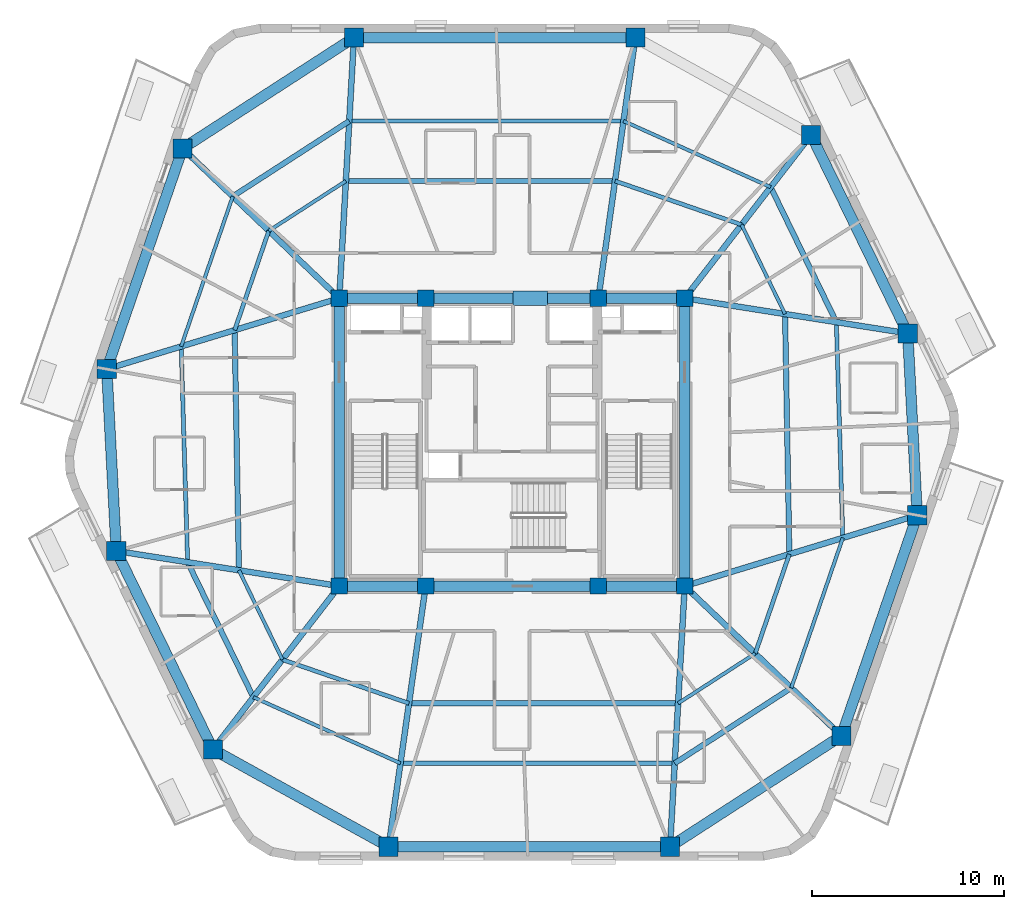
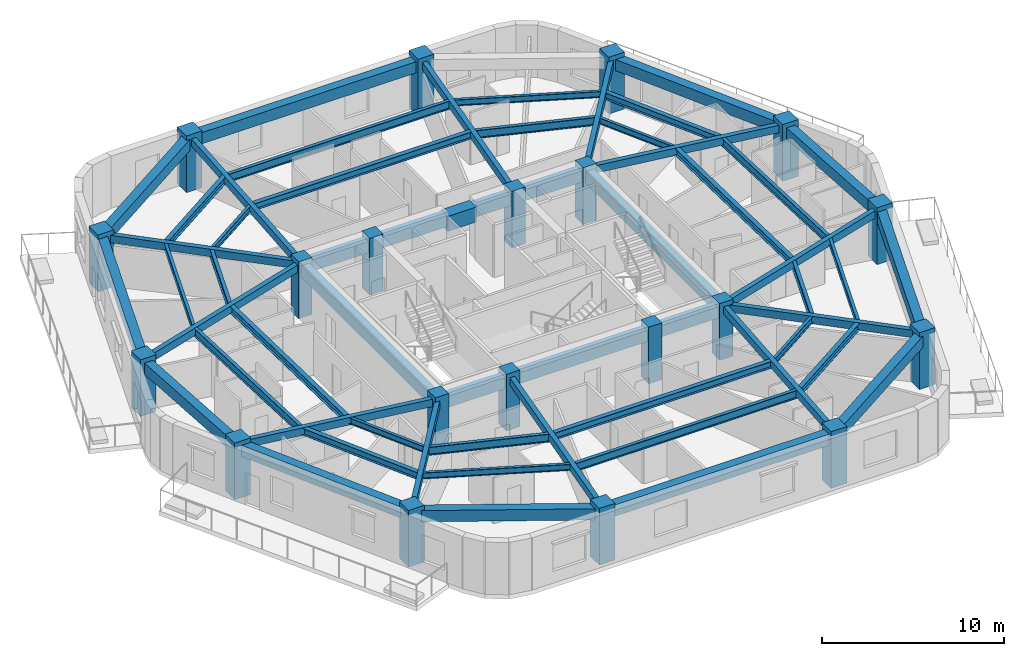
# One storey, part 1 of 10: 56 beams, 20 columns.
"""IFC4 building model written with IfcOpenShell, lengths in metres."""

from ifc_helpers import new_model, si_unit, direction, frame, origin, origin_2d, place, context, subcontext, project, spatial, rectangle, i_section, extrude, material, material_profile, profile_set, type_object, element, save


model = new_model("IFC4")

# Units and contexts
model_context = context("Model", 3, precision=1e-05, world=origin(), true_north=direction((0.0, 1.0)))
body_context = subcontext(model_context, "Body", "Model", "MODEL_VIEW")
ifc_project = project(units=[si_unit("LENGTHUNIT", "METRE"), si_unit("AREAUNIT", "SQUARE_METRE"), si_unit("VOLUMEUNIT", "CUBIC_METRE"), si_unit("PLANEANGLEUNIT", "RADIAN"), si_unit("MASSUNIT", "GRAM", prefix="KILO")], contexts=[model_context])

# Site, building, storey
site_placement = place(None, origin())
site = spatial("IfcSite", under=ifc_project, at=site_placement, CompositionType="ELEMENT")
building_placement = place(site_placement, origin())
building = spatial("IfcBuilding", under=site, at=building_placement, Name="Kilnhurst Terrace Hotel", CompositionType="ELEMENT")
storey_placement = place(building_placement, frame((0.0, 0.0, 206.5)))
storey = spatial("IfcBuildingStorey", under=building, at=storey_placement, Name="L51", CompositionType="ELEMENT", Elevation=206.5)

# Columns
ifc_material_1 = material(Name="Concrete C60/75", Category="concrete")
ifc_material_profile_1 = material_profile(ifc_material_1, rectangle(XDim=1.0, YDim=1.0, at=origin_2d()), Name="RC1000X1000")
ifc_profile_set_1 = profile_set([ifc_material_profile_1], Name="Concrete C60/75")
column_type_1 = type_object("IfcColumnType", Name="COL-RC-1000", PredefinedType="COLUMN", material=ifc_profile_set_1)
for number, where, z_axis, x_axis, name in (
    (1, (-6.429931640625, -21.080078125, 0.0), (0.0, 0.0, 1.0), (1.0, 0.0, 0.0), "L51 Structural Column PC-F11"),
    (2, (8.236083984375, -21.080078125, 0.0), (0.0, 0.0, 1.0), (1.0, 0.0, 0.0), "L51 Structural Column PC-F12"),
    (3, (17.166015625, -15.303955078125, 0.0), (0.0, 0.0, 1.0), (1.0, 0.0, 0.0), "L51 Structural Column PC-F21"),
    (4, (21.117919921875, -3.806884765625, 0.0), (0.0, 0.0, 1.0), (1.0, 0.0, 0.0), "L51 Structural Column PC-F22"),
    (5, (20.6220703125, 5.669921875, 0.0), (0.0, 0.0, 1.0), (1.0, 0.0, 0.0), "L51 Structural Column PC-F31"),
    (6, (15.5869140625, 16.012939453125, 0.0), (0.0, 0.0, 1.0), (1.0, 0.0, 0.0), "L51 Structural Column PC-F32"),
    (7, (6.429931640625, 21.080078125, 0.0), (0.0, 0.0, 1.0), (1.0, 0.0, 0.0), "L51 Structural Column PC-F41"),
    (8, (-8.236083984375, 21.080078125, 0.0), (0.0, 0.0, 1.0), (1.0, 0.0, 0.0), "L51 Structural Column PC-F42"),
    (9, (-17.166015625, 15.303955078125, 0.0), (0.0, 0.0, 1.0), (1.0, 0.0, 0.0), "L51 Structural Column PC-F51"),
    (10, (-21.117919921875, 3.806884765625, 0.0), (0.0, 0.0, 1.0), (1.0, 0.0, 0.0), "L51 Structural Column PC-F52"),
    (11, (-20.6220703125, -5.669921875, 0.0), (0.0, 0.0, 1.0), (1.0, 0.0, 0.0), "L51 Structural Column PC-F61"),
    (12, (-15.5869140625, -16.012939453125, 0.0), (0.0, 0.0, 1.0), (1.0, 0.0, 0.0), "L51 Structural Column PC-F62"),
):
    element("IfcColumn", number, at=place(storey_placement, frame(where, z_axis=z_axis, x_axis=x_axis)), inside=storey, type_object=column_type_1, Name=name, PredefinedType="COLUMN", context=body_context, shape_type="SweptSolid", body=[
        extrude(rectangle(XDim=1.0, YDim=1.0, at=origin_2d()), origin(), (0.0, 0.0, 1.0), 3.800048828125),
    ])
ifc_material_profile_2 = material_profile(ifc_material_1, rectangle(XDim=0.85009765625, YDim=0.85009765625, at=origin_2d()), Name="RC850X850")
ifc_profile_set_2 = profile_set([ifc_material_profile_2], Name="Concrete C60/75")
column_type_2 = type_object("IfcColumnType", Name="COL-RC-850", PredefinedType="COLUMN", material=ifc_profile_set_2)
for number, where, z_axis, x_axis, name in (
    (13, (-9.0, -7.5, 0.0), (0.0, 0.0, 1.0), (1.0, 0.0, 0.0), "L51 Structural Column CC-SW"),
    (14, (-4.5, -7.5, 0.0), (0.0, 0.0, 1.0), (1.0, 0.0, 0.0), "L51 Structural Column CC-SC1"),
    (15, (4.5, -7.5, 0.0), (0.0, 0.0, 1.0), (1.0, 0.0, 0.0), "L51 Structural Column CC-SC2"),
    (16, (9.0, -7.5, 0.0), (0.0, 0.0, 1.0), (1.0, 0.0, 0.0), "L51 Structural Column CC-SE"),
    (17, (9.0, 7.5, 0.0), (0.0, 0.0, 1.0), (1.0, 0.0, 0.0), "L51 Structural Column CC-NE"),
    (18, (4.5, 7.5, 0.0), (0.0, 0.0, 1.0), (1.0, 0.0, 0.0), "L51 Structural Column CC-NC2"),
    (19, (-4.5, 7.5, 0.0), (0.0, 0.0, 1.0), (1.0, 0.0, 0.0), "L51 Structural Column CC-NC1"),
    (20, (-9.0, 7.5, 0.0), (0.0, 0.0, 1.0), (1.0, 0.0, 0.0), "L51 Structural Column CC-NW"),
):
    element("IfcColumn", number, at=place(storey_placement, frame(where, z_axis=z_axis, x_axis=x_axis)), inside=storey, type_object=column_type_2, Name=name, PredefinedType="COLUMN", context=body_context, shape_type="SweptSolid", body=[
        extrude(rectangle(XDim=0.85009765625, YDim=0.85009765625, at=origin_2d()), origin(), (0.0, 0.0, 1.0), 3.800048828125),
    ])

# Beams
ifc_material_2 = material(Name="Concrete C50/60", Category="concrete")
ifc_material_profile_3 = material_profile(ifc_material_2, rectangle(XDim=0.300048828125, YDim=0.5, at=origin_2d()), Name="RC300X500")
ifc_profile_set_3 = profile_set([ifc_material_profile_3], Name="Concrete C50/60")
beam_type_1 = type_object("IfcBeamType", Name="BM-RAD-300X500", PredefinedType="BEAM", material=ifc_profile_set_3)
beam_1_placement = place(storey_placement, frame((-4.5, -7.5, 3.25), z_axis=(-0.140701170889, -0.990052109997, 0.0), x_axis=(0.990052109997, -0.140701170889, 0.0)))
element("IfcBeam", 21, at=beam_1_placement, inside=storey, type_object=beam_type_1, Name="L51 Radial Floor Beam 1", PredefinedType="BEAM", context=body_context, shape_type="SweptSolid", body=[
    extrude(rectangle(XDim=0.300048828125, YDim=0.5, at=origin_2d()), origin(), (0.0, 0.0, 1.0), 13.716552734375),
])
beam_2_placement = place(storey_placement, frame((9.0, -7.5, 3.25), z_axis=(-0.056163905291, -0.998421562138, 0.0), x_axis=(0.998421562138, -0.056163905291, 0.0)))
element("IfcBeam", 22, at=beam_2_placement, inside=storey, type_object=beam_type_1, Name="L51 Radial Floor Beam 2", PredefinedType="BEAM", context=body_context, shape_type="SweptSolid", body=[
    extrude(rectangle(XDim=0.300048828125, YDim=0.5, at=origin_2d()), origin(), (0.0, 0.0, 1.0), 13.6015625),
])
beam_3_placement = place(storey_placement, frame((9.0, -7.5, 3.25), z_axis=(0.722952064528, -0.690898192497, 0.0), x_axis=(0.690898192497, 0.722952064528, 0.0)))
element("IfcBeam", 23, at=beam_3_placement, inside=storey, type_object=beam_type_1, Name="L51 Radial Floor Beam 3", PredefinedType="BEAM", context=body_context, shape_type="SweptSolid", body=[
    extrude(rectangle(XDim=0.300048828125, YDim=0.5, at=origin_2d()), origin(), (0.0, 0.0, 1.0), 11.29541015625),
])
beam_4_placement = place(storey_placement, frame((9.0, -7.5, 3.25), z_axis=(0.956562713724, 0.291526627793, 0.0), x_axis=(-0.291526627793, 0.956562713724, 0.0)))
element("IfcBeam", 24, at=beam_4_placement, inside=storey, type_object=beam_type_1, Name="L51 Radial Floor Beam 4", PredefinedType="BEAM", context=body_context, shape_type="SweptSolid", body=[
    extrude(rectangle(XDim=0.300048828125, YDim=0.5, at=origin_2d()), origin(), (0.0, 0.0, 1.0), 12.668212890625),
])
beam_5_placement = place(storey_placement, frame((9.0, 7.5, 3.25), z_axis=(0.987828160163, -0.155549111179, 0.0), x_axis=(0.155549111179, 0.987828160163, 0.0)))
element("IfcBeam", 25, at=beam_5_placement, inside=storey, type_object=beam_type_1, Name="L51 Radial Floor Beam 5", PredefinedType="BEAM", context=body_context, shape_type="SweptSolid", body=[
    extrude(rectangle(XDim=0.300048828125, YDim=0.5, at=origin_2d()), origin(), (0.0, 0.0, 1.0), 11.765380859375),
])
beam_6_placement = place(storey_placement, frame((9.0, 7.5, 3.25), z_axis=(0.611955412533, 0.790892263884, 0.0), x_axis=(-0.790892263884, 0.611955412533, 0.0)))
element("IfcBeam", 26, at=beam_6_placement, inside=storey, type_object=beam_type_1, Name="L51 Radial Floor Beam 6", PredefinedType="BEAM", context=body_context, shape_type="SweptSolid", body=[
    extrude(rectangle(XDim=0.300048828125, YDim=0.5, at=origin_2d()), origin(), (0.0, 0.0, 1.0), 10.763671875),
])
beam_7_placement = place(storey_placement, frame((4.5, 7.5, 3.25), z_axis=(0.140701170889, 0.990052109997, 0.0), x_axis=(-0.990052109997, 0.140701170889, 0.0)))
element("IfcBeam", 27, at=beam_7_placement, inside=storey, type_object=beam_type_1, Name="L51 Radial Floor Beam 7", PredefinedType="BEAM", context=body_context, shape_type="SweptSolid", body=[
    extrude(rectangle(XDim=0.300048828125, YDim=0.5, at=origin_2d()), origin(), (0.0, 0.0, 1.0), 13.716552734375),
])
beam_8_placement = place(storey_placement, frame((-9.0, 7.5, 3.25), z_axis=(0.056163905291, 0.998421562138, 0.0), x_axis=(-0.998421562138, 0.056163905291, 0.0)))
element("IfcBeam", 28, at=beam_8_placement, inside=storey, type_object=beam_type_1, Name="L51 Radial Floor Beam 8", PredefinedType="BEAM", context=body_context, shape_type="SweptSolid", body=[
    extrude(rectangle(XDim=0.300048828125, YDim=0.5, at=origin_2d()), origin(), (0.0, 0.0, 1.0), 13.6015625),
])
beam_9_placement = place(storey_placement, frame((-9.0, 7.5, 3.25), z_axis=(-0.722952064528, 0.690898192497, 0.0), x_axis=(-0.690898192497, -0.722952064528, 0.0)))
element("IfcBeam", 29, at=beam_9_placement, inside=storey, type_object=beam_type_1, Name="L51 Radial Floor Beam 9", PredefinedType="BEAM", context=body_context, shape_type="SweptSolid", body=[
    extrude(rectangle(XDim=0.300048828125, YDim=0.5, at=origin_2d()), origin(), (0.0, 0.0, 1.0), 11.29541015625),
])
beam_10_placement = place(storey_placement, frame((-9.0, 7.5, 3.25), z_axis=(-0.956562713724, -0.291526627793, 0.0), x_axis=(0.291526627793, -0.956562713724, 0.0)))
element("IfcBeam", 30, at=beam_10_placement, inside=storey, type_object=beam_type_1, Name="L51 Radial Floor Beam 10", PredefinedType="BEAM", context=body_context, shape_type="SweptSolid", body=[
    extrude(rectangle(XDim=0.300048828125, YDim=0.5, at=origin_2d()), origin(), (0.0, 0.0, 1.0), 12.668212890625),
])
beam_11_placement = place(storey_placement, frame((-9.0, -7.5, 3.25), z_axis=(-0.987828160163, 0.155549111179, 0.0), x_axis=(-0.155549111179, -0.987828160163, 0.0)))
element("IfcBeam", 31, at=beam_11_placement, inside=storey, type_object=beam_type_1, Name="L51 Radial Floor Beam 11", PredefinedType="BEAM", context=body_context, shape_type="SweptSolid", body=[
    extrude(rectangle(XDim=0.300048828125, YDim=0.5, at=origin_2d()), origin(), (0.0, 0.0, 1.0), 11.765380859375),
])
beam_12_placement = place(storey_placement, frame((-9.0, -7.5, 3.25), z_axis=(-0.611955412533, -0.790892263884, 0.0), x_axis=(0.790892263884, -0.611955412533, 0.0)))
element("IfcBeam", 32, at=beam_12_placement, inside=storey, type_object=beam_type_1, Name="L51 Radial Floor Beam 12", PredefinedType="BEAM", context=body_context, shape_type="SweptSolid", body=[
    extrude(rectangle(XDim=0.300048828125, YDim=0.5, at=origin_2d()), origin(), (0.0, 0.0, 1.0), 10.763671875),
])
ifc_material_profile_4 = material_profile(ifc_material_2, rectangle(XDim=0.550048828125, YDim=0.75, at=origin_2d()), Name="RC550X750")
ifc_profile_set_4 = profile_set([ifc_material_profile_4], Name="Concrete C50/60")
beam_type_2 = type_object("IfcBeamType", Name="BM-SPN-550X750", PredefinedType="SPANDREL", material=ifc_profile_set_4)
beam_13_placement = place(storey_placement, frame((-9.0, 7.5, 3.125), z_axis=(1.0, 0.0, 0.0), x_axis=(0.0, 1.0, 0.0)))
element("IfcBeam", 33, at=beam_13_placement, inside=storey, type_object=beam_type_2, Name="L51 Core Tie Beam CC-NW to CC-NC1", PredefinedType="SPANDREL", context=body_context, shape_type="SweptSolid", body=[
    extrude(rectangle(XDim=0.550048828125, YDim=0.75, at=origin_2d()), origin(), (0.0, 0.0, 1.0), 4.5),
])
beam_14_placement = place(storey_placement, frame((-4.5, 7.5, 3.125), z_axis=(1.0, 0.0, 0.0), x_axis=(0.0, 1.0, 0.0)))
element("IfcBeam", 34, at=beam_14_placement, inside=storey, type_object=beam_type_2, Name="L51 Core Tie Beam CC-NC1 to CC-NC2", PredefinedType="SPANDREL", context=body_context, shape_type="SweptSolid", body=[
    extrude(rectangle(XDim=0.550048828125, YDim=0.75, at=origin_2d()), origin(), (0.0, 0.0, 1.0), 9.0),
])
for number, where, z_axis, x_axis, name in (
    (35, (4.5, 7.5, 3.125), (1.0, 0.0, 0.0), (0.0, 1.0, 0.0), "L51 Core Tie Beam CC-NC2 to CC-NE"),
    (36, (-9.0, -7.5, 3.125), (1.0, 0.0, 0.0), (0.0, 1.0, 0.0), "L51 Core Tie Beam CC-SW to CC-SC1"),
):
    element("IfcBeam", number, at=place(storey_placement, frame(where, z_axis=z_axis, x_axis=x_axis)), inside=storey, type_object=beam_type_2, Name=name, PredefinedType="SPANDREL", context=body_context, shape_type="SweptSolid", body=[
        extrude(rectangle(XDim=0.550048828125, YDim=0.75, at=origin_2d()), origin(), (0.0, 0.0, 1.0), 4.5),
    ])
beam_15_placement = place(storey_placement, frame((-4.5, -7.5, 3.125), z_axis=(1.0, 0.0, 0.0), x_axis=(0.0, 1.0, 0.0)))
element("IfcBeam", 37, at=beam_15_placement, inside=storey, type_object=beam_type_2, Name="L51 Core Tie Beam CC-SC1 to CC-SC2", PredefinedType="SPANDREL", context=body_context, shape_type="SweptSolid", body=[
    extrude(rectangle(XDim=0.550048828125, YDim=0.75, at=origin_2d()), origin(), (0.0, 0.0, 1.0), 9.0),
])
beam_16_placement = place(storey_placement, frame((4.5, -7.5, 3.125), z_axis=(1.0, 0.0, 0.0), x_axis=(0.0, 1.0, 0.0)))
element("IfcBeam", 38, at=beam_16_placement, inside=storey, type_object=beam_type_2, Name="L51 Core Tie Beam CC-SC2 to CC-SE", PredefinedType="SPANDREL", context=body_context, shape_type="SweptSolid", body=[
    extrude(rectangle(XDim=0.550048828125, YDim=0.75, at=origin_2d()), origin(), (0.0, 0.0, 1.0), 4.5),
])
for number, where, z_axis, x_axis, name in (
    (39, (-9.0, -7.5, 3.125), (0.0, 1.0, 0.0), (-1.0, 0.0, 0.0), "L51 Core Tie Beam CC-SW to CC-NW"),
    (40, (9.0, -7.5, 3.125), (0.0, 1.0, 0.0), (-1.0, 0.0, 0.0), "L51 Core Tie Beam CC-SE to CC-NE"),
):
    element("IfcBeam", number, at=place(storey_placement, frame(where, z_axis=z_axis, x_axis=x_axis)), inside=storey, type_object=beam_type_2, Name=name, PredefinedType="SPANDREL", context=body_context, shape_type="SweptSolid", body=[
        extrude(rectangle(XDim=0.550048828125, YDim=0.75, at=origin_2d()), origin(), (0.0, 0.0, 1.0), 15.0),
    ])
beam_17_placement = place(storey_placement, frame((-6.429931640625, -21.080078125, 3.125), z_axis=(1.0, 0.0, 0.0), x_axis=(0.0, 1.0, 0.0)))
element("IfcBeam", 41, at=beam_17_placement, inside=storey, type_object=beam_type_2, Name="L51 Perimeter Spandrel Beam 1", PredefinedType="SPANDREL", context=body_context, shape_type="SweptSolid", body=[
    extrude(rectangle(XDim=0.550048828125, YDim=0.75, at=origin_2d()), origin(), (0.0, 0.0, 1.0), 14.666015625),
])
beam_18_placement = place(storey_placement, frame((8.236083984375, -21.080078125, 3.125), z_axis=(0.839658834217, 0.543114207254, 0.0), x_axis=(-0.543114207254, 0.839658834217, 0.0)))
element("IfcBeam", 42, at=beam_18_placement, inside=storey, type_object=beam_type_2, Name="L51 Perimeter Spandrel Beam 2", PredefinedType="SPANDREL", context=body_context, shape_type="SweptSolid", body=[
    extrude(rectangle(XDim=0.550048828125, YDim=0.75, at=origin_2d()), origin(), (0.0, 0.0, 1.0), 10.63525390625),
])
beam_19_placement = place(storey_placement, frame((17.166015625, -15.303955078125, 3.125), z_axis=(0.325064053802, 0.94569200109, 0.0), x_axis=(-0.94569200109, 0.325064053802, 0.0)))
element("IfcBeam", 43, at=beam_19_placement, inside=storey, type_object=beam_type_2, Name="L51 Perimeter Spandrel Beam 3", PredefinedType="SPANDREL", context=body_context, shape_type="SweptSolid", body=[
    extrude(rectangle(XDim=0.550048828125, YDim=0.75, at=origin_2d()), origin(), (0.0, 0.0, 1.0), 12.1572265625),
])
beam_20_placement = place(storey_placement, frame((21.117919921875, -3.806884765625, 3.125), z_axis=(-0.052250962837, 0.998633985443, 0.0), x_axis=(-0.998633985443, -0.052250962837, 0.0)))
element("IfcBeam", 44, at=beam_20_placement, inside=storey, type_object=beam_type_2, Name="L51 Perimeter Spandrel Beam 4", PredefinedType="SPANDREL", context=body_context, shape_type="SweptSolid", body=[
    extrude(rectangle(XDim=0.550048828125, YDim=0.75, at=origin_2d()), origin(), (0.0, 0.0, 1.0), 9.48974609375),
])
beam_21_placement = place(storey_placement, frame((20.6220703125, 5.669921875, 3.125), z_axis=(-0.437705964683, 0.899118172701, 0.0), x_axis=(-0.899118172701, -0.437705964683, 0.0)))
element("IfcBeam", 45, at=beam_21_placement, inside=storey, type_object=beam_type_2, Name="L51 Perimeter Spandrel Beam 5", PredefinedType="SPANDREL", context=body_context, shape_type="SweptSolid", body=[
    extrude(rectangle(XDim=0.550048828125, YDim=0.75, at=origin_2d()), origin(), (0.0, 0.0, 1.0), 11.50341796875),
])
beam_22_placement = place(storey_placement, frame((6.429931640625, 21.080078125, 3.125), z_axis=(-1.0, 0.0, 0.0), x_axis=(0.0, -1.0, 0.0)))
element("IfcBeam", 46, at=beam_22_placement, inside=storey, type_object=beam_type_2, Name="L51 Perimeter Spandrel Beam 7", PredefinedType="SPANDREL", context=body_context, shape_type="SweptSolid", body=[
    extrude(rectangle(XDim=0.550048828125, YDim=0.75, at=origin_2d()), origin(), (0.0, 0.0, 1.0), 14.666015625),
])
beam_23_placement = place(storey_placement, frame((-8.236083984375, 21.080078125, 3.125), z_axis=(-0.839658834217, -0.543114207254, 0.0), x_axis=(0.543114207254, -0.839658834217, 0.0)))
element("IfcBeam", 47, at=beam_23_placement, inside=storey, type_object=beam_type_2, Name="L51 Perimeter Spandrel Beam 8", PredefinedType="SPANDREL", context=body_context, shape_type="SweptSolid", body=[
    extrude(rectangle(XDim=0.550048828125, YDim=0.75, at=origin_2d()), origin(), (0.0, 0.0, 1.0), 10.63525390625),
])
beam_24_placement = place(storey_placement, frame((-17.166015625, 15.303955078125, 3.125), z_axis=(-0.325064053802, -0.94569200109, 0.0), x_axis=(0.94569200109, -0.325064053802, 0.0)))
element("IfcBeam", 48, at=beam_24_placement, inside=storey, type_object=beam_type_2, Name="L51 Perimeter Spandrel Beam 9", PredefinedType="SPANDREL", context=body_context, shape_type="SweptSolid", body=[
    extrude(rectangle(XDim=0.550048828125, YDim=0.75, at=origin_2d()), origin(), (0.0, 0.0, 1.0), 12.1572265625),
])
beam_25_placement = place(storey_placement, frame((-21.117919921875, 3.806884765625, 3.125), z_axis=(0.052250962837, -0.998633985443, 0.0), x_axis=(0.998633985443, 0.052250962837, 0.0)))
element("IfcBeam", 49, at=beam_25_placement, inside=storey, type_object=beam_type_2, Name="L51 Perimeter Spandrel Beam 10", PredefinedType="SPANDREL", context=body_context, shape_type="SweptSolid", body=[
    extrude(rectangle(XDim=0.550048828125, YDim=0.75, at=origin_2d()), origin(), (0.0, 0.0, 1.0), 9.48974609375),
])
beam_26_placement = place(storey_placement, frame((-20.6220703125, -5.669921875, 3.125), z_axis=(0.437705964683, -0.899118172701, 0.0), x_axis=(0.899118172701, 0.437705964683, 0.0)))
element("IfcBeam", 50, at=beam_26_placement, inside=storey, type_object=beam_type_2, Name="L51 Perimeter Spandrel Beam 11", PredefinedType="SPANDREL", context=body_context, shape_type="SweptSolid", body=[
    extrude(rectangle(XDim=0.550048828125, YDim=0.75, at=origin_2d()), origin(), (0.0, 0.0, 1.0), 11.50341796875),
])
beam_27_placement = place(storey_placement, frame((-15.5869140625, -16.012939453125, 3.125), z_axis=(0.874970333121, -0.484176534085, 0.0), x_axis=(0.484176534085, 0.874970333121, 0.0)))
element("IfcBeam", 51, at=beam_27_placement, inside=storey, type_object=beam_type_2, Name="L51 Perimeter Spandrel Beam 12", PredefinedType="SPANDREL", context=body_context, shape_type="SweptSolid", body=[
    extrude(rectangle(XDim=0.550048828125, YDim=0.75, at=origin_2d()), origin(), (0.0, 0.0, 1.0), 10.465576171875),
])
ifc_material_3 = material(Name="Steel ASTM A992 Grade 50", Category="steel")
ifc_material_profile_5 = material_profile(ifc_material_3, i_section(OverallWidth=0.180908203125, OverallDepth=0.417236328125, WebThickness=0.010986328125, FlangeThickness=0.018310546875, at=origin_2d()), Name="W16X57")
ifc_profile_set_5 = profile_set([ifc_material_profile_5], Name="Steel ASTM A992 Grade 50")
beam_type_3 = type_object("IfcBeamType", Name="JST-STL-W16X57", PredefinedType="JOIST", material=ifc_profile_set_5)
beam_28_placement = place(storey_placement, frame((14.552978515625, -12.806640625, 3.291015625), z_axis=(0.325064911916, 0.945691706129, 0.0), x_axis=(-0.945691706129, 0.325064911916, 0.0)))
element("IfcBeam", 52, at=beam_28_placement, inside=storey, type_object=beam_type_3, Name="L51 Secondary Floor Steel Joist OUT.3", PredefinedType="JOIST", context=body_context, shape_type="SweptSolid", body=[
    extrude(i_section(OverallWidth=0.180908203125, OverallDepth=0.417236328125, WebThickness=0.010986328125, FlangeThickness=0.018310546875, at=origin_2d()), origin(), (0.0, 0.0, 1.0), 8.266845703125),
])
beam_29_placement = place(storey_placement, frame((13.479248046875, 13.288818359375, 3.291015625), z_axis=(-0.912120852375, 0.409921395713, 0.0), x_axis=(-0.409921395713, -0.912120852375, 0.0)))
element("IfcBeam", 53, at=beam_29_placement, inside=storey, type_object=beam_type_3, Name="L51 Secondary Floor Steel Joist OUT.6", PredefinedType="JOIST", context=body_context, shape_type="SweptSolid", body=[
    extrude(i_section(OverallWidth=0.180908203125, OverallDepth=0.417236328125, WebThickness=0.010986328125, FlangeThickness=0.018310546875, at=origin_2d()), origin(), (0.0, 0.0, 1.0), 8.405517578125),
])
beam_30_placement = place(storey_placement, frame((-14.552978515625, 12.806640625, 3.291015625), z_axis=(-0.325064911916, -0.945691706129, 0.0), x_axis=(0.945691706129, -0.325064911916, 0.0)))
element("IfcBeam", 54, at=beam_30_placement, inside=storey, type_object=beam_type_3, Name="L51 Secondary Floor Steel Joist OUT.9", PredefinedType="JOIST", context=body_context, shape_type="SweptSolid", body=[
    extrude(i_section(OverallWidth=0.180908203125, OverallDepth=0.417236328125, WebThickness=0.010986328125, FlangeThickness=0.018310546875, at=origin_2d()), origin(), (0.0, 0.0, 1.0), 8.266845703125),
])
beam_31_placement = place(storey_placement, frame((-13.479248046875, -13.288818359375, 3.291015625), z_axis=(0.912120852375, -0.409921395713, 0.0), x_axis=(0.409921395713, 0.912120852375, 0.0)))
element("IfcBeam", 55, at=beam_31_placement, inside=storey, type_object=beam_type_3, Name="L51 Secondary Floor Steel Joist OUT.12", PredefinedType="JOIST", context=body_context, shape_type="SweptSolid", body=[
    extrude(i_section(OverallWidth=0.180908203125, OverallDepth=0.417236328125, WebThickness=0.010986328125, FlangeThickness=0.018310546875, at=origin_2d()), origin(), (0.0, 0.0, 1.0), 8.405517578125),
])
beam_32_placement = place(storey_placement, frame((8.65625, -13.611083984375, 3.291015625), z_axis=(0.839653632344, 0.543122249306, 0.0), x_axis=(-0.543122249306, 0.839653632344, 0.0)))
element("IfcBeam", 56, at=beam_32_placement, inside=storey, type_object=beam_type_3, Name="L51 Secondary Floor Steel Joist IN.2", PredefinedType="JOIST", context=body_context, shape_type="SweptSolid", body=[
    extrude(i_section(OverallWidth=0.180908203125, OverallDepth=0.417236328125, WebThickness=0.010986328125, FlangeThickness=0.018310546875, at=origin_2d()), origin(), (0.0, 0.0, 1.0), 4.785888671875),
])
beam_33_placement = place(storey_placement, frame((14.22998046875, 6.676513671875, 3.291015625), z_axis=(-0.437718230281, 0.899112201496, 0.0), x_axis=(-0.899112201496, -0.437718230281, 0.0)))
element("IfcBeam", 57, at=beam_33_placement, inside=storey, type_object=beam_type_3, Name="L51 Secondary Floor Steel Joist IN.5", PredefinedType="JOIST", context=body_context, shape_type="SweptSolid", body=[
    extrude(i_section(OverallWidth=0.180908203125, OverallDepth=0.417236328125, WebThickness=0.010986328125, FlangeThickness=0.018310546875, at=origin_2d()), origin(), (0.0, 0.0, 1.0), 5.176513671875),
])
beam_34_placement = place(storey_placement, frame((-8.65625, 13.611083984375, 3.291015625), z_axis=(-0.839653632344, -0.543122249306, 0.0), x_axis=(0.543122249306, -0.839653632344, 0.0)))
element("IfcBeam", 58, at=beam_34_placement, inside=storey, type_object=beam_type_3, Name="L51 Secondary Floor Steel Joist IN.8", PredefinedType="JOIST", context=body_context, shape_type="SweptSolid", body=[
    extrude(i_section(OverallWidth=0.180908203125, OverallDepth=0.417236328125, WebThickness=0.010986328125, FlangeThickness=0.018310546875, at=origin_2d()), origin(), (0.0, 0.0, 1.0), 4.785888671875),
])
beam_35_placement = place(storey_placement, frame((-14.22998046875, -6.676513671875, 3.291015625), z_axis=(0.437718230281, -0.899112201496, 0.0), x_axis=(0.899112201496, 0.437718230281, 0.0)))
element("IfcBeam", 59, at=beam_35_placement, inside=storey, type_object=beam_type_3, Name="L51 Secondary Floor Steel Joist IN.11", PredefinedType="JOIST", context=body_context, shape_type="SweptSolid", body=[
    extrude(i_section(OverallWidth=0.180908203125, OverallDepth=0.417236328125, WebThickness=0.010986328125, FlangeThickness=0.018310546875, at=origin_2d()), origin(), (0.0, 0.0, 1.0), 5.176513671875),
])
ifc_material_profile_6 = material_profile(ifc_material_3, i_section(OverallWidth=0.279296875, OverallDepth=0.462890625, WebThickness=0.0107421875, FlangeThickness=0.017333984375, at=origin_2d()), Name="W18X76")
ifc_profile_set_6 = profile_set([ifc_material_profile_6], Name="Steel ASTM A992 Grade 50")
beam_type_4 = type_object("IfcBeamType", Name="JST-STL-W18X76", PredefinedType="JOIST", material=ifc_profile_set_6)
beam_36_placement = place(storey_placement, frame((8.48046875, -16.734375, 3.26806640625), z_axis=(0.839667054453, 0.543101498494, 0.0), x_axis=(-0.543101498494, 0.839667054453, 0.0)))
element("IfcBeam", 60, at=beam_36_placement, inside=storey, type_object=beam_type_4, Name="L51 Secondary Floor Steel Joist OUT.2", PredefinedType="JOIST", context=body_context, shape_type="SweptSolid", body=[
    extrude(i_section(OverallWidth=0.279296875, OverallDepth=0.462890625, WebThickness=0.0107421875, FlangeThickness=0.017333984375, at=origin_2d()), origin(), (0.0, 0.0, 1.0), 7.23193359375),
])
beam_37_placement = place(storey_placement, frame((16.903076171875, 6.255615234375, 3.26806640625), z_axis=(-0.437700347277, 0.899120907328, 0.0), x_axis=(-0.899120907328, -0.437700347277, 0.0)))
element("IfcBeam", 61, at=beam_37_placement, inside=storey, type_object=beam_type_4, Name="L51 Secondary Floor Steel Joist OUT.5", PredefinedType="JOIST", context=body_context, shape_type="SweptSolid", body=[
    extrude(i_section(OverallWidth=0.279296875, OverallDepth=0.462890625, WebThickness=0.0107421875, FlangeThickness=0.017333984375, at=origin_2d()), origin(), (0.0, 0.0, 1.0), 7.822265625),
])
beam_38_placement = place(storey_placement, frame((-8.48046875, 16.734375, 3.26806640625), z_axis=(-0.839667054453, -0.543101498494, 0.0), x_axis=(0.543101498494, -0.839667054453, 0.0)))
element("IfcBeam", 62, at=beam_38_placement, inside=storey, type_object=beam_type_4, Name="L51 Secondary Floor Steel Joist OUT.8", PredefinedType="JOIST", context=body_context, shape_type="SweptSolid", body=[
    extrude(i_section(OverallWidth=0.279296875, OverallDepth=0.462890625, WebThickness=0.0107421875, FlangeThickness=0.017333984375, at=origin_2d()), origin(), (0.0, 0.0, 1.0), 7.23193359375),
])
beam_39_placement = place(storey_placement, frame((-16.903076171875, -6.255615234375, 3.26806640625), z_axis=(0.437700347277, -0.899120907328, 0.0), x_axis=(0.899120907328, 0.437700347277, 0.0)))
element("IfcBeam", 63, at=beam_39_placement, inside=storey, type_object=beam_type_4, Name="L51 Secondary Floor Steel Joist OUT.11", PredefinedType="JOIST", context=body_context, shape_type="SweptSolid", body=[
    extrude(i_section(OverallWidth=0.279296875, OverallDepth=0.462890625, WebThickness=0.0107421875, FlangeThickness=0.017333984375, at=origin_2d()), origin(), (0.0, 0.0, 1.0), 7.822265625),
])
beam_40_placement = place(storey_placement, frame((-5.368408203125, -13.611083984375, 3.26806640625), z_axis=(1.0, 0.0, 0.0), x_axis=(0.0, 1.0, 0.0)))
element("IfcBeam", 64, at=beam_40_placement, inside=storey, type_object=beam_type_4, Name="L51 Secondary Floor Steel Joist IN.1", PredefinedType="JOIST", context=body_context, shape_type="SweptSolid", body=[
    extrude(i_section(OverallWidth=0.279296875, OverallDepth=0.462890625, WebThickness=0.0107421875, FlangeThickness=0.017333984375, at=origin_2d()), origin(), (0.0, 0.0, 1.0), 14.024658203125),
])
beam_41_placement = place(storey_placement, frame((14.453125, -5.838134765625, 3.26806640625), z_axis=(-0.017827833387, 0.999841071549, 0.0), x_axis=(-0.999841071549, -0.017827833387, 0.0)))
element("IfcBeam", 65, at=beam_41_placement, inside=storey, type_object=beam_type_4, Name="L51 Secondary Floor Steel Joist IN.4", PredefinedType="JOIST", context=body_context, shape_type="SweptSolid", body=[
    extrude(i_section(OverallWidth=0.279296875, OverallDepth=0.462890625, WebThickness=0.0107421875, FlangeThickness=0.017333984375, at=origin_2d()), origin(), (0.0, 0.0, 1.0), 12.5166015625),
])
beam_42_placement = place(storey_placement, frame((5.368408203125, 13.611083984375, 3.26806640625), z_axis=(-1.0, 0.0, 0.0), x_axis=(0.0, -1.0, 0.0)))
element("IfcBeam", 66, at=beam_42_placement, inside=storey, type_object=beam_type_4, Name="L51 Secondary Floor Steel Joist IN.7", PredefinedType="JOIST", context=body_context, shape_type="SweptSolid", body=[
    extrude(i_section(OverallWidth=0.279296875, OverallDepth=0.462890625, WebThickness=0.0107421875, FlangeThickness=0.017333984375, at=origin_2d()), origin(), (0.0, 0.0, 1.0), 14.024658203125),
])
beam_43_placement = place(storey_placement, frame((-14.453125, 5.838134765625, 3.26806640625), z_axis=(0.017827833387, -0.999841071549, 0.0), x_axis=(0.999841071549, 0.017827833387, 0.0)))
element("IfcBeam", 67, at=beam_43_placement, inside=storey, type_object=beam_type_4, Name="L51 Secondary Floor Steel Joist IN.10", PredefinedType="JOIST", context=body_context, shape_type="SweptSolid", body=[
    extrude(i_section(OverallWidth=0.279296875, OverallDepth=0.462890625, WebThickness=0.0107421875, FlangeThickness=0.017333984375, at=origin_2d()), origin(), (0.0, 0.0, 1.0), 12.5166015625),
])
ifc_material_profile_7 = material_profile(ifc_material_3, i_section(OverallWidth=0.2138671875, OverallDepth=0.549072265625, WebThickness=0.0146484375, FlangeThickness=0.023681640625, at=origin_2d()), Name="W21X93")
ifc_profile_set_7 = profile_set([ifc_material_profile_7], Name="Steel ASTM A992 Grade 50")
beam_type_5 = type_object("IfcBeamType", Name="JST-STL-W21X93", PredefinedType="JOIST", material=ifc_profile_set_7)
beam_44_placement = place(storey_placement, frame((-5.8125, -16.734375, 3.22509765625), z_axis=(1.0, 0.0, 0.0), x_axis=(0.0, 1.0, 0.0)))
element("IfcBeam", 68, at=beam_44_placement, inside=storey, type_object=beam_type_5, Name="L51 Secondary Floor Steel Joist OUT.1", PredefinedType="JOIST", context=body_context, shape_type="SweptSolid", body=[
    extrude(i_section(OverallWidth=0.2138671875, OverallDepth=0.549072265625, WebThickness=0.0146484375, FlangeThickness=0.023681640625, at=origin_2d()), origin(), (0.0, 0.0, 1.0), 14.29296875),
])
beam_45_placement = place(storey_placement, frame((17.240234375, -4.98876953125, 3.22509765625), z_axis=(-0.029971114202, 0.999550765251, 0.0), x_axis=(-0.999550765251, -0.029971114202, 0.0)))
element("IfcBeam", 69, at=beam_45_placement, inside=storey, type_object=beam_type_5, Name="L51 Secondary Floor Steel Joist OUT.4", PredefinedType="JOIST", context=body_context, shape_type="SweptSolid", body=[
    extrude(i_section(OverallWidth=0.2138671875, OverallDepth=0.549072265625, WebThickness=0.0146484375, FlangeThickness=0.023681640625, at=origin_2d()), origin(), (0.0, 0.0, 1.0), 11.24951171875),
])
beam_46_placement = place(storey_placement, frame((5.8125, 16.734375, 3.22509765625), z_axis=(-1.0, 0.0, 0.0), x_axis=(0.0, -1.0, 0.0)))
element("IfcBeam", 70, at=beam_46_placement, inside=storey, type_object=beam_type_5, Name="L51 Secondary Floor Steel Joist OUT.7", PredefinedType="JOIST", context=body_context, shape_type="SweptSolid", body=[
    extrude(i_section(OverallWidth=0.2138671875, OverallDepth=0.549072265625, WebThickness=0.0146484375, FlangeThickness=0.023681640625, at=origin_2d()), origin(), (0.0, 0.0, 1.0), 14.29296875),
])
beam_47_placement = place(storey_placement, frame((-17.240234375, 4.98876953125, 3.22509765625), z_axis=(0.029971114202, -0.999550765251, 0.0), x_axis=(0.999550765251, 0.029971114202, 0.0)))
element("IfcBeam", 71, at=beam_47_placement, inside=storey, type_object=beam_type_5, Name="L51 Secondary Floor Steel Joist OUT.10", PredefinedType="JOIST", context=body_context, shape_type="SweptSolid", body=[
    extrude(i_section(OverallWidth=0.2138671875, OverallDepth=0.549072265625, WebThickness=0.0146484375, FlangeThickness=0.023681640625, at=origin_2d()), origin(), (0.0, 0.0, 1.0), 11.24951171875),
])
beam_48_placement = place(storey_placement, frame((12.6748046875, -11.01171875, 3.22509765625), z_axis=(0.325063554612, 0.945692172677, 0.0), x_axis=(-0.945692172677, 0.325063554612, 0.0)))
element("IfcBeam", 72, at=beam_48_placement, inside=storey, type_object=beam_type_5, Name="L51 Secondary Floor Steel Joist IN.3", PredefinedType="JOIST", context=body_context, shape_type="SweptSolid", body=[
    extrude(i_section(OverallWidth=0.2138671875, OverallDepth=0.549072265625, WebThickness=0.0146484375, FlangeThickness=0.023681640625, at=origin_2d()), origin(), (0.0, 0.0, 1.0), 5.470703125),
])
beam_49_placement = place(storey_placement, frame((11.964111328125, 11.330810546875, 3.22509765625), z_axis=(-0.94511244231, 0.326745269884, 0.0), x_axis=(-0.326745269884, -0.94511244231, 0.0)))
element("IfcBeam", 73, at=beam_49_placement, inside=storey, type_object=beam_type_5, Name="L51 Secondary Floor Steel Joist IN.6", PredefinedType="JOIST", context=body_context, shape_type="SweptSolid", body=[
    extrude(i_section(OverallWidth=0.2138671875, OverallDepth=0.549072265625, WebThickness=0.0146484375, FlangeThickness=0.023681640625, at=origin_2d()), origin(), (0.0, 0.0, 1.0), 6.978759765625),
])
beam_50_placement = place(storey_placement, frame((-12.6748046875, 11.01171875, 3.22509765625), z_axis=(-0.325063554612, -0.945692172677, 0.0), x_axis=(0.945692172677, -0.325063554612, 0.0)))
element("IfcBeam", 74, at=beam_50_placement, inside=storey, type_object=beam_type_5, Name="L51 Secondary Floor Steel Joist IN.9", PredefinedType="JOIST", context=body_context, shape_type="SweptSolid", body=[
    extrude(i_section(OverallWidth=0.2138671875, OverallDepth=0.549072265625, WebThickness=0.0146484375, FlangeThickness=0.023681640625, at=origin_2d()), origin(), (0.0, 0.0, 1.0), 5.470703125),
])
beam_51_placement = place(storey_placement, frame((-11.964111328125, -11.330810546875, 3.22509765625), z_axis=(0.94511244231, -0.326745269884, 0.0), x_axis=(0.326745269884, 0.94511244231, 0.0)))
element("IfcBeam", 75, at=beam_51_placement, inside=storey, type_object=beam_type_5, Name="L51 Secondary Floor Steel Joist IN.12", PredefinedType="JOIST", context=body_context, shape_type="SweptSolid", body=[
    extrude(i_section(OverallWidth=0.2138671875, OverallDepth=0.549072265625, WebThickness=0.0146484375, FlangeThickness=0.023681640625, at=origin_2d()), origin(), (0.0, 0.0, 1.0), 6.978759765625),
])
ifc_material_profile_8 = material_profile(ifc_material_1, rectangle(XDim=0.75, YDim=1.0, at=origin_2d()), Name="RC750X1000")
ifc_profile_set_8 = profile_set([ifc_material_profile_8], Name="Concrete C60/75")
beam_type_6 = type_object("IfcBeamType", Name="LNT-CB-750X1000", PredefinedType="LINTEL", material=ifc_profile_set_8)
beam_52_placement = place(storey_placement, frame((0.050048828125, 7.5, 3.0), z_axis=(1.0, 0.0, 0.0), x_axis=(0.0, 1.0, 0.0)))
element("IfcBeam", 76, at=beam_52_placement, inside=storey, type_object=beam_type_6, Name="L51 North Core Coupling Link Beam", PredefinedType="LINTEL", context=body_context, shape_type="SweptSolid", body=[
    extrude(rectangle(XDim=0.75, YDim=1.0, at=origin_2d()), origin(), (0.0, 0.0, 1.0), 1.800048828125),
])

save(model, "model.ifc")
